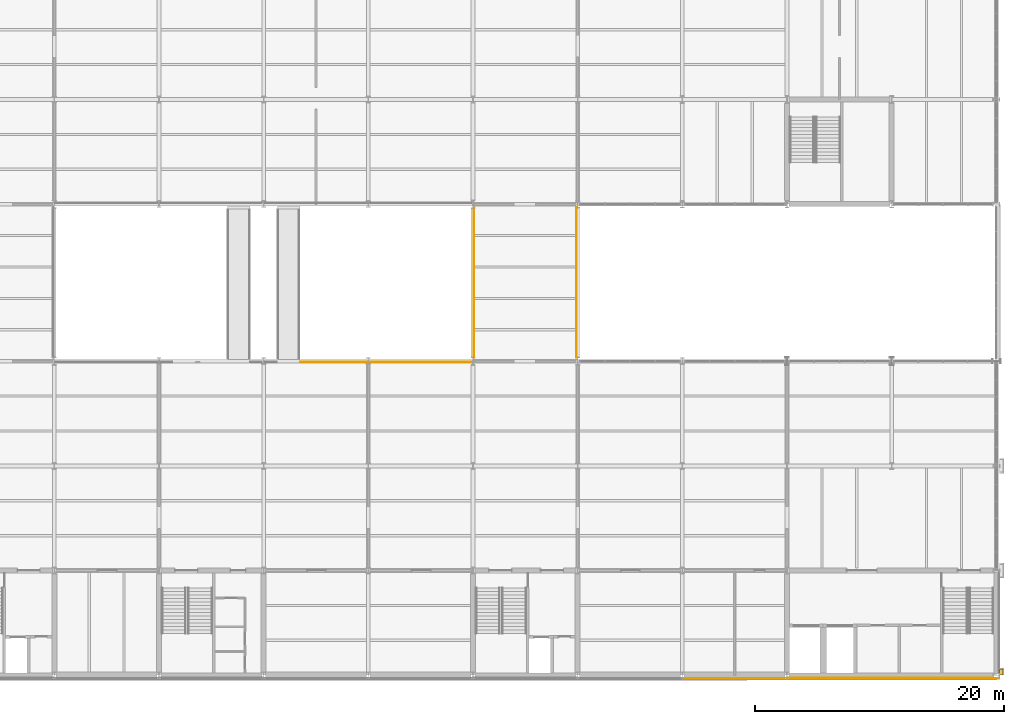
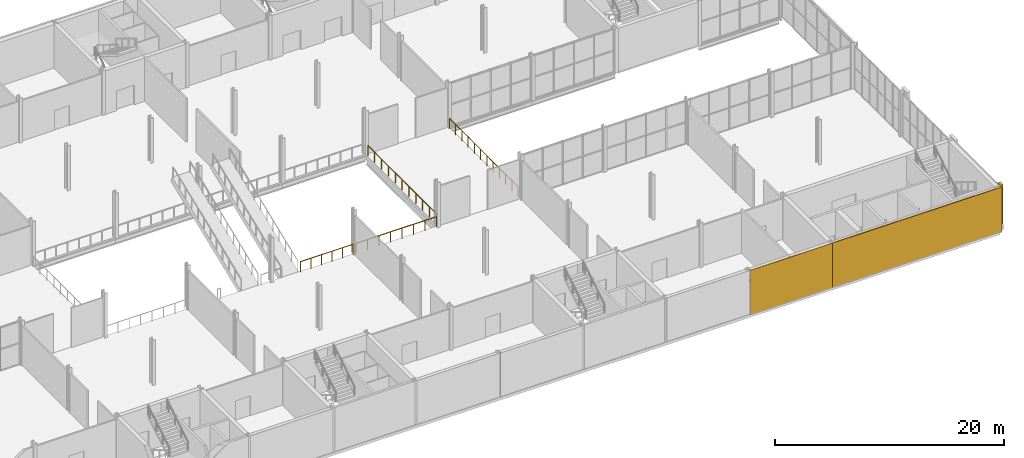
# One storey, part 56 of 61: 4 coverings, 4 railings.
"""IFC4 building model written with IfcOpenShell, lengths in metres."""

from ifc_helpers import new_model, si_unit, direction, frame, origin, origin_2d, place, context, subcontext, project, spatial, rectangle, circle, extrude, material, layer, layer_set, type_object, element, save


model = new_model("IFC4")

# Units and contexts
model_context = context("Model", 3, precision=1e-05, world=origin(), true_north=direction((0.0, 1.0)))
body_context = subcontext(model_context, "Body", "Model", "MODEL_VIEW")
ifc_project = project(units=[si_unit("LENGTHUNIT", "METRE"), si_unit("AREAUNIT", "SQUARE_METRE"), si_unit("VOLUMEUNIT", "CUBIC_METRE"), si_unit("PLANEANGLEUNIT", "RADIAN"), si_unit("MASSUNIT", "GRAM", prefix="KILO")], contexts=[model_context])

# Site, building, storey
site_placement = place(None, origin())
site = spatial("IfcSite", under=ifc_project, at=site_placement, CompositionType="ELEMENT")
building_placement = place(site_placement, origin())
building = spatial("IfcBuilding", under=site, at=building_placement, Name="Galleria Vessillo Department Store", CompositionType="ELEMENT")
storey_placement = place(building_placement, frame((0.0, 0.0, 11.39990234375)))
storey = spatial("IfcBuildingStorey", under=building, at=storey_placement, Name="L02", CompositionType="ELEMENT", Elevation=11.39990234375)

# Railings
ifc_material_1 = material(Name="Stainless steel tube", Category="steel")
railing_type = type_object("IfcRailingType", Name="Atrium edge guard 1100 mm", PredefinedType="GUARDRAIL", material=ifc_material_1)
railing_1_placement = place(storey_placement, frame((61.75, 25.119873046875, 0.0)))
element("IfcRailing", 1, at=railing_1_placement, inside=storey, type_object=railing_type, Name="Atrium edge guard L02-06", PredefinedType="GUARDRAIL", context=body_context, shape_type="SweptSolid", body=[
    extrude(circle(Radius=0.02392578125, at=origin_2d()), frame((0.0, 0.0, 1.076171875), z_axis=(1.0, 0.0, 0.0), x_axis=(0.0, 1.0, 0.0)), (0.0, 0.0, 1.0), 5.297119140625),
    extrude(circle(Radius=0.02099609375, at=origin_2d()), origin(), (0.0, 0.0, 1.0), 1.052001953125),
    extrude(circle(Radius=0.02099609375, at=origin_2d()), frame((1.059326171875, 0.0, 0.0)), (0.0, 0.0, 1.0), 1.052001953125),
    extrude(circle(Radius=0.02099609375, at=origin_2d()), frame((2.118896484375, 0.0, 0.0)), (0.0, 0.0, 1.0), 1.052001953125),
    extrude(circle(Radius=0.02099609375, at=origin_2d()), frame((3.17822265625, 0.0, 0.0)), (0.0, 0.0, 1.0), 1.052001953125),
    extrude(circle(Radius=0.02099609375, at=origin_2d()), frame((4.23779296875, 0.0, 0.0)), (0.0, 0.0, 1.0), 1.052001953125),
    extrude(circle(Radius=0.02099609375, at=origin_2d()), frame((5.297119140625, 0.0, 0.0)), (0.0, 0.0, 1.0), 1.052001953125),
])
railing_2_placement = place(storey_placement, frame((67.35302734375, 25.119873046875, 0.0)))
element("IfcRailing", 2, at=railing_2_placement, inside=storey, type_object=railing_type, Name="Atrium edge guard L02-07", PredefinedType="GUARDRAIL", context=body_context, shape_type="SweptSolid", body=[
    extrude(circle(Radius=0.02392578125, at=origin_2d()), frame((0.0, 0.0, 1.076171875), z_axis=(1.0, 0.0, 0.0), x_axis=(0.0, 1.0, 0.0)), (0.0, 0.0, 1.0), 8.094482421875),
    extrude(circle(Radius=0.02099609375, at=origin_2d()), origin(), (0.0, 0.0, 1.0), 1.052001953125),
    extrude(circle(Radius=0.02099609375, at=origin_2d()), frame((1.15625, 0.0, 0.0)), (0.0, 0.0, 1.0), 1.052001953125),
    extrude(circle(Radius=0.02099609375, at=origin_2d()), frame((2.312744140625, 0.0, 0.0)), (0.0, 0.0, 1.0), 1.052001953125),
    extrude(circle(Radius=0.02099609375, at=origin_2d()), frame((3.468994140625, 0.0, 0.0)), (0.0, 0.0, 1.0), 1.052001953125),
    extrude(circle(Radius=0.02099609375, at=origin_2d()), frame((4.62548828125, 0.0, 0.0)), (0.0, 0.0, 1.0), 1.052001953125),
    extrude(circle(Radius=0.02099609375, at=origin_2d()), frame((5.78173828125, 0.0, 0.0)), (0.0, 0.0, 1.0), 1.052001953125),
    extrude(circle(Radius=0.02099609375, at=origin_2d()), frame((6.938232421875, 0.0, 0.0)), (0.0, 0.0, 1.0), 1.052001953125),
    extrude(circle(Radius=0.02099609375, at=origin_2d()), frame((8.094482421875, 0.0, 0.0)), (0.0, 0.0, 1.0), 1.052001953125),
])
railing_3_placement = place(storey_placement, frame((75.68017578125, 25.510009765625, 0.0)))
element("IfcRailing", 3, at=railing_3_placement, inside=storey, type_object=railing_type, Name="Atrium edge guard L02-14", PredefinedType="GUARDRAIL", context=body_context, shape_type="SweptSolid", body=[
    extrude(circle(Radius=0.02392578125, at=origin_2d()), frame((0.0, 0.0, 1.076171875), z_axis=(0.0, 1.0, 0.0), x_axis=(-1.0, 0.0, 0.0)), (0.0, 0.0, 1.0), 11.97998046875),
    extrude(circle(Radius=0.02099609375, at=origin_2d()), origin(), (0.0, 0.0, 1.0), 1.052001953125),
    extrude(circle(Radius=0.02099609375, at=origin_2d()), frame((0.0, 1.197998046875, 0.0)), (0.0, 0.0, 1.0), 1.052001953125),
    extrude(circle(Radius=0.02099609375, at=origin_2d()), frame((0.0, 2.39599609375, 0.0)), (0.0, 0.0, 1.0), 1.052001953125),
    extrude(circle(Radius=0.02099609375, at=origin_2d()), frame((0.0, 3.593994140625, 0.0)), (0.0, 0.0, 1.0), 1.052001953125),
    extrude(circle(Radius=0.02099609375, at=origin_2d()), frame((0.0, 4.7919921875, 0.0)), (0.0, 0.0, 1.0), 1.052001953125),
    extrude(circle(Radius=0.02099609375, at=origin_2d()), frame((0.0, 5.989990234375, 0.0)), (0.0, 0.0, 1.0), 1.052001953125),
    extrude(circle(Radius=0.02099609375, at=origin_2d()), frame((0.0, 7.18798828125, 0.0)), (0.0, 0.0, 1.0), 1.052001953125),
    extrude(circle(Radius=0.02099609375, at=origin_2d()), frame((0.0, 8.385986328125, 0.0)), (0.0, 0.0, 1.0), 1.052001953125),
    extrude(circle(Radius=0.02099609375, at=origin_2d()), frame((0.0, 9.583984375, 0.0)), (0.0, 0.0, 1.0), 1.052001953125),
    extrude(circle(Radius=0.02099609375, at=origin_2d()), frame((0.0, 10.781982421875, 0.0)), (0.0, 0.0, 1.0), 1.052001953125),
    extrude(circle(Radius=0.02099609375, at=origin_2d()), frame((0.0, 11.97998046875, 0.0)), (0.0, 0.0, 1.0), 1.052001953125),
])
railing_4_placement = place(storey_placement, frame((83.919921875, 25.510009765625, 0.0)))
element("IfcRailing", 4, at=railing_4_placement, inside=storey, type_object=railing_type, Name="Atrium edge guard L02-15", PredefinedType="GUARDRAIL", context=body_context, shape_type="SweptSolid", body=[
    extrude(circle(Radius=0.02392578125, at=origin_2d()), frame((0.0, 0.0, 1.076171875), z_axis=(0.0, 1.0, 0.0), x_axis=(-1.0, 0.0, 0.0)), (0.0, 0.0, 1.0), 12.00390625),
    extrude(circle(Radius=0.02099609375, at=origin_2d()), origin(), (0.0, 0.0, 1.0), 1.052001953125),
    extrude(circle(Radius=0.02099609375, at=origin_2d()), frame((0.0, 1.09130859375, 0.0)), (0.0, 0.0, 1.0), 1.052001953125),
    extrude(circle(Radius=0.02099609375, at=origin_2d()), frame((0.0, 2.1826171875, 0.0)), (0.0, 0.0, 1.0), 1.052001953125),
    extrude(circle(Radius=0.02099609375, at=origin_2d()), frame((0.0, 3.273681640625, 0.0)), (0.0, 0.0, 1.0), 1.052001953125),
    extrude(circle(Radius=0.02099609375, at=origin_2d()), frame((0.0, 4.364990234375, 0.0)), (0.0, 0.0, 1.0), 1.052001953125),
    extrude(circle(Radius=0.02099609375, at=origin_2d()), frame((0.0, 5.456298828125, 0.0)), (0.0, 0.0, 1.0), 1.052001953125),
    extrude(circle(Radius=0.02099609375, at=origin_2d()), frame((0.0, 6.547607421875, 0.0)), (0.0, 0.0, 1.0), 1.052001953125),
    extrude(circle(Radius=0.02099609375, at=origin_2d()), frame((0.0, 7.638916015625, 0.0)), (0.0, 0.0, 1.0), 1.052001953125),
    extrude(circle(Radius=0.02099609375, at=origin_2d()), frame((0.0, 8.730224609375, 0.0)), (0.0, 0.0, 1.0), 1.052001953125),
    extrude(circle(Radius=0.02099609375, at=origin_2d()), frame((0.0, 9.8212890625, 0.0)), (0.0, 0.0, 1.0), 1.052001953125),
    extrude(circle(Radius=0.02099609375, at=origin_2d()), frame((0.0, 10.91259765625, 0.0)), (0.0, 0.0, 1.0), 1.052001953125),
    extrude(circle(Radius=0.02099609375, at=origin_2d()), frame((0.0, 12.00390625, 0.0)), (0.0, 0.0, 1.0), 1.052001953125),
])

# Coverings
ifc_material_2 = material(Name="Lime plaster (intonaco) ochre")
ifc_layer_1 = layer(ifc_material_2, 0.030029296875)
ifc_layer_set_1 = layer_set([ifc_layer_1], Name="Lime plaster (intonaco) ochre")
covering_type_1 = type_object("IfcCoveringType", Name="Lime plaster render 30 mm", PredefinedType="CLADDING", material=ifc_layer_set_1)
covering_1_placement = place(storey_placement, frame((96.60009765625, -0.264892578125, 0.0), z_axis=(0.0, 0.0, 1.0), x_axis=(1.0, 0.0, 0.0)))
element("IfcCovering", 5, at=covering_1_placement, inside=storey, type_object=covering_type_1, Name="Wall cladding S-PS-L02-08", PredefinedType="CLADDING", context=body_context, shape_type="SweptSolid", body=[
    extrude(rectangle(XDim=8.34033203125, YDim=0.030029296875, at=origin_2d()), origin(), (0.0, 0.0, 1.0), 4.800048828125),
])
covering_2_placement = place(storey_placement, frame((109.090087890625, -0.215087890625, 0.0), z_axis=(0.0, 0.0, 1.0), x_axis=(1.0, 0.0, 0.0)))
element("IfcCovering", 6, at=covering_2_placement, inside=storey, type_object=covering_type_1, Name="Wall cladding S-CW-GC-PARTY-L02", PredefinedType="CLADDING", context=body_context, shape_type="SweptSolid", body=[
    extrude(rectangle(XDim=16.52001953125, YDim=0.030029296875, at=origin_2d()), origin(), (0.0, 0.0, 1.0), 4.800048828125),
])
covering_3_placement = place(storey_placement, frame((109.300048828125, -0.264892578125, 0.0), z_axis=(0.0, 0.0, 1.0), x_axis=(1.0, 0.0, 0.0)))
element("IfcCovering", 7, at=covering_3_placement, inside=storey, type_object=covering_type_1, Name="Corner cladding L02 y=0 south/north face", PredefinedType="CLADDING", context=body_context, shape_type="SweptSolid", body=[
    extrude(rectangle(XDim=17.059814453125, YDim=0.030029296875, at=origin_2d()), origin(), (0.0, 0.0, 1.0), 4.800048828125),
])
ifc_material_3 = material(Name="Botticino limestone ashlar", Category="masonry")
ifc_layer_2 = layer(ifc_material_3, 0.280029296875)
ifc_layer_set_2 = layer_set([ifc_layer_2], Name="Botticino limestone ashlar")
covering_type_2 = type_object("IfcCoveringType", Name="Limestone giant pilaster 1000 x 280", PredefinedType="CLADDING", material=ifc_layer_set_2)
covering_4_placement = place(storey_placement, frame((117.989990234375, 0.25, 0.60009765625), z_axis=(0.0, 0.0, 1.0), x_axis=(1.0, 0.0, 0.0)))
element("IfcCovering", 8, at=covering_4_placement, inside=storey, type_object=covering_type_2, Name="Giant pilaster E L02 y=0.0", PredefinedType="CLADDING", context=body_context, shape_type="SweptSolid", body=[
    extrude(rectangle(XDim=0.280029296875, YDim=0.5, at=origin_2d()), origin(), (0.0, 0.0, 1.0), 4.199951171875),
])

save(model, "model.ifc")
